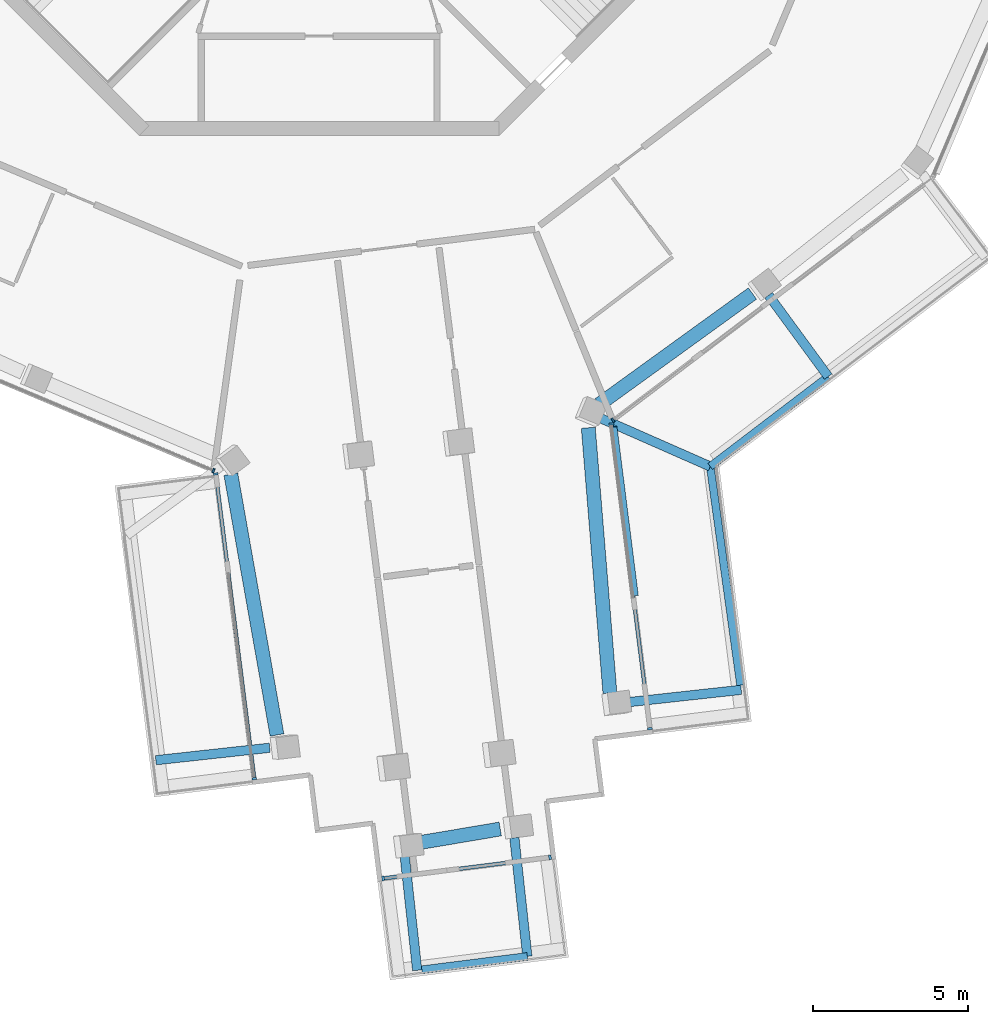
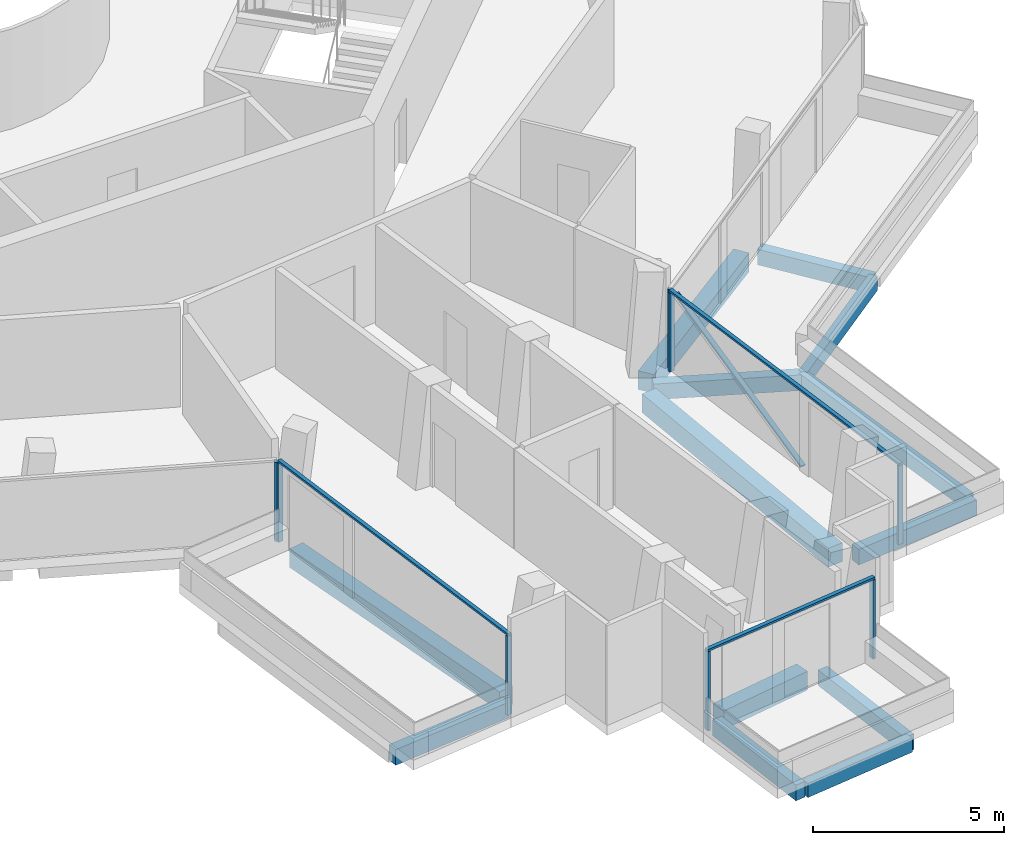
# One storey, part 3 of 26: 13 beams, 12 members, 5 elements without a shape of their own.
"""IFC4 building model written with IfcOpenShell, lengths in metres."""

from ifc_helpers import new_model, si_unit, direction, frame, origin, origin_2d, place, context, subcontext, project, spatial, rectangle, extrude, material, layer, layer_set, material_profile, profile_set, type_object, element, aggregate, save


model = new_model("IFC4")

# Units and contexts
model_context = context("Model", 3, precision=1e-05, world=origin(), true_north=direction((0.0, 1.0)))
body_context = subcontext(model_context, "Body", "Model", "MODEL_VIEW")
ifc_project = project(units=[si_unit("LENGTHUNIT", "METRE"), si_unit("AREAUNIT", "SQUARE_METRE"), si_unit("VOLUMEUNIT", "CUBIC_METRE"), si_unit("PLANEANGLEUNIT", "RADIAN"), si_unit("MASSUNIT", "GRAM", prefix="KILO")], contexts=[model_context])

# Site, building, storey
site_placement = place(None, origin())
site = spatial("IfcSite", under=ifc_project, at=site_placement, CompositionType="ELEMENT")
building_placement = place(site_placement, origin())
building = spatial("IfcBuilding", under=site, at=building_placement, Name="Verdalira Terraces Hotel", CompositionType="ELEMENT")
storey_placement = place(building_placement, frame((0.0, 0.0, 306.5)))
storey = spatial("IfcBuildingStorey", under=building, at=storey_placement, Name="L76", CompositionType="ELEMENT", Elevation=306.5)

# Beams
ifc_material_1 = material(Name="Concrete C40", Category="concrete")
ifc_material_profile_1 = material_profile(ifc_material_1, rectangle(XDim=0.300049, YDim=0.5, at=origin_2d()), Name="RC 300X500")
ifc_profile_set_1 = profile_set([ifc_material_profile_1], Name="Concrete C40")
beam_type_1 = type_object("IfcBeamType", Name="Balcony cantilever beam RC 300X500 C40", PredefinedType="BEAM", material=ifc_profile_set_1)
beam_1_placement = place(storey_placement, frame((-1.593994, -33.730957, -0.560059), z_axis=(-0.994078949, -0.108660216, 0.0), x_axis=(0.108660216, -0.994078949, 0.0)))
element("IfcBeam", 1, at=beam_1_placement, inside=storey, type_object=beam_type_1, Name="Balcony cantilever beam R14-2", PredefinedType="BEAM", context=body_context, shape_type="SweptSolid", body=[
    extrude(rectangle(XDim=0.300049, YDim=0.5, at=origin_2d()), origin(), (0.0, 0.0, 1.0), 3.69165),
])
beam_2_placement = place(storey_placement, frame((2.757812, -37.234131, -0.560059), z_axis=(0.108695947, -0.994075043, 0.0), x_axis=(0.994075043, 0.108695947, 0.0)))
element("IfcBeam", 2, at=beam_2_placement, inside=storey, type_object=beam_type_1, Name="Balcony cantilever beam R19-1", PredefinedType="BEAM", context=body_context, shape_type="SweptSolid", body=[
    extrude(rectangle(XDim=0.300049, YDim=0.5, at=origin_2d()), origin(), (0.0, 0.0, 1.0), 3.69043),
])
beam_3_placement = place(storey_placement, frame((6.290283, -36.631836, -0.560059), z_axis=(0.108765806, -0.994067402, 0.0), x_axis=(0.994067402, 0.108765806, 0.0)))
element("IfcBeam", 3, at=beam_3_placement, inside=storey, type_object=beam_type_1, Name="Balcony cantilever beam R19-2", PredefinedType="BEAM", context=body_context, shape_type="SweptSolid", body=[
    extrude(rectangle(XDim=0.300049, YDim=0.5, at=origin_2d()), origin(), (0.0, 0.0, 1.0), 3.844971),
])
beam_4_placement = place(storey_placement, frame((9.793701, -32.279785, -0.560059), z_axis=(0.994075782, 0.108689189, 0.0), x_axis=(-0.108689189, 0.994075782, 0.0)))
element("IfcBeam", 4, at=beam_4_placement, inside=storey, type_object=beam_type_1, Name="Balcony cantilever beam R24-1", PredefinedType="BEAM", context=body_context, shape_type="SweptSolid", body=[
    extrude(rectangle(XDim=0.300049, YDim=0.5, at=origin_2d()), origin(), (0.0, 0.0, 1.0), 3.829834),
])
beam_5_placement = place(storey_placement, frame((8.987549, -23.074951, -0.560059), z_axis=(0.915235726, -0.402918807, 0.0), x_axis=(0.402918807, 0.915235726, 0.0)))
element("IfcBeam", 5, at=beam_5_placement, inside=storey, type_object=beam_type_1, Name="Balcony cantilever beam R24-2", PredefinedType="BEAM", context=body_context, shape_type="SweptSolid", body=[
    extrude(rectangle(XDim=0.300049, YDim=0.5, at=origin_2d()), origin(), (0.0, 0.0, 1.0), 3.949951),
])
beam_6_placement = place(storey_placement, frame((14.482666, -19.147949, -0.560059), z_axis=(0.591155259, -0.806557785, 0.0), x_axis=(0.806557785, 0.591155259, 0.0)))
element("IfcBeam", 6, at=beam_6_placement, inside=storey, type_object=beam_type_1, Name="Balcony cantilever beam R24-3", PredefinedType="BEAM", context=body_context, shape_type="SweptSolid", body=[
    extrude(rectangle(XDim=0.300049, YDim=0.5, at=origin_2d()), origin(), (0.0, 0.0, 1.0), 3.250732),
])
ifc_material_2 = material(Name="Concrete C40", Category="concrete")
ifc_material_profile_2 = material_profile(ifc_material_2, rectangle(XDim=0.25, YDim=0.449951, at=origin_2d()), Name="RC 250X450")
ifc_profile_set_2 = profile_set([ifc_material_profile_2], Name="Concrete C40")
beam_type_2 = type_object("IfcBeamType", Name="Balcony edge beam RC 250X450 C40", PredefinedType="BEAM", material=ifc_profile_set_2)
beam_7_placement = place(storey_placement, frame((3.307861, -40.883789, -0.534912), z_axis=(0.99211153, 0.125358338, 0.0), x_axis=(-0.125358338, 0.99211153, 0.0)))
element("IfcBeam", 7, at=beam_7_placement, inside=storey, type_object=beam_type_2, Name="Balcony edge beam R19-1", PredefinedType="BEAM", context=body_context, shape_type="SweptSolid", body=[
    extrude(rectangle(XDim=0.25, YDim=0.449951, at=origin_2d()), origin(), (0.0, 0.0, 1.0), 3.427734),
])
beam_8_placement = place(storey_placement, frame((13.580078, -31.715088, -0.534912), z_axis=(-0.137337427, 0.990524321, 0.0), x_axis=(-0.990524321, -0.137337427, 0.0)))
element("IfcBeam", 8, at=beam_8_placement, inside=storey, type_object=beam_type_2, Name="Balcony edge beam R24-1", PredefinedType="BEAM", context=body_context, shape_type="SweptSolid", body=[
    extrude(rectangle(XDim=0.25, YDim=0.449951, at=origin_2d()), origin(), (0.0, 0.0, 1.0), 7.115967),
])
beam_9_placement = place(storey_placement, frame((12.602783, -24.666504, -0.534912), z_axis=(0.795397713, 0.606087847, 0.0), x_axis=(-0.606087847, 0.795397713, 0.0)))
element("IfcBeam", 9, at=beam_9_placement, inside=storey, type_object=beam_type_2, Name="Balcony edge beam R24-2", PredefinedType="BEAM", context=body_context, shape_type="SweptSolid", body=[
    extrude(rectangle(XDim=0.25, YDim=0.449951, at=origin_2d()), origin(), (0.0, 0.0, 1.0), 4.779297),
])

# Curtain wall, member
ifc_material_3 = material(Name="Clear glass", Category="glass")
ifc_layer_1 = layer(ifc_material_3, 0.14990234375)
ifc_layer_set_1 = layer_set([ifc_layer_1], Name="CW1 curtain wall")
curtain_wall_type_1 = type_object("IfcCurtainWallType", Name="CW1 curtain wall", PredefinedType="NOTDEFINED", material=ifc_layer_set_1)
curtain_wall_1_placement = place(storey_placement, origin())
curtain_wall_1 = element("IfcCurtainWall", 10, at=curtain_wall_1_placement, inside=storey, type_object=curtain_wall_type_1, Name="CW1 curtain wall L76 edge 13", PredefinedType="NOTDEFINED")
ifc_material_4 = material(Name="Terracotta frame", Category="masonry")
ifc_material_profile_3 = material_profile(ifc_material_4, rectangle(XDim=0.060059, YDim=0.149902, at=origin_2d()), Name="MU 60x150")
ifc_profile_set_3 = profile_set([ifc_material_profile_3], Name="Terracotta frame")
member_type_1 = type_object("IfcMemberType", Name="CW1 mullion 60x150", PredefinedType="MULLION", material=ifc_profile_set_3)
member_1_placement = place(storey_placement, frame((-3.406982, -24.801025, 0.0), z_axis=(0.0, 0.0, 1.0), x_axis=(0.921863152, -0.387515586, 0.0)))
member_1 = element("IfcMember", 11, at=member_1_placement, type_object=member_type_1, Name="CW1 mullion", PredefinedType="MULLION", context=body_context, shape_type="SweptSolid", body=[
    extrude(rectangle(XDim=0.060059, YDim=0.149902, at=origin_2d()), origin(), (0.0, 0.0, 1.0), 2.524902),
])
aggregate(curtain_wall_1, [member_1])

curtain_wall_2_placement = place(storey_placement, origin())
curtain_wall_2 = element("IfcCurtainWall", 12, at=curtain_wall_2_placement, inside=storey, type_object=curtain_wall_type_1, Name="CW1 curtain wall L76 edge 25", PredefinedType="NOTDEFINED")
member_2_placement = place(storey_placement, frame((9.467773, -23.174561, 0.0), z_axis=(0.0, 0.0, 1.0), x_axis=(0.796529918, 0.604599115, 0.0)))
member_2 = element("IfcMember", 13, at=member_2_placement, type_object=member_type_1, Name="CW1 mullion", PredefinedType="MULLION", context=body_context, shape_type="SweptSolid", body=[
    extrude(rectangle(XDim=0.060059, YDim=0.149902, at=origin_2d()), origin(), (0.0, 0.0, 1.0), 2.524902),
])
aggregate(curtain_wall_2, [member_2])

# Curtain wall, members
ifc_material_5 = material(Name="Clear glass", Category="glass")
ifc_layer_2 = layer(ifc_material_5, 0.14990234375)
ifc_layer_set_2 = layer_set([ifc_layer_2], Name="CW2 curtain wall")
curtain_wall_type_2 = type_object("IfcCurtainWallType", Name="CW2 curtain wall", PredefinedType="NOTDEFINED", material=ifc_layer_set_2)
curtain_wall_3_placement = place(storey_placement, origin())
curtain_wall_3 = element("IfcCurtainWall", 14, at=curtain_wall_3_placement, inside=storey, type_object=curtain_wall_type_2, Name="CW2 curtain wall L76 edge 14", PredefinedType="NOTDEFINED")
ifc_material_6 = material(Name="Terracotta frame", Category="masonry")
ifc_material_profile_4 = material_profile(ifc_material_6, rectangle(XDim=0.070068, YDim=0.149902, at=origin_2d()), Name="MU 70x150")
ifc_profile_set_4 = profile_set([ifc_material_profile_4], Name="Terracotta frame")
member_type_2 = type_object("IfcMemberType", Name="CW2 mullion 70x150", PredefinedType="MULLION", material=ifc_profile_set_4)
member_3_placement = place(storey_placement, frame((-3.32959, -24.906982, 0.0), z_axis=(0.0, 0.0, 1.0), x_axis=(0.125333234, -0.992114701, 0.0)))
member_3 = element("IfcMember", 15, at=member_3_placement, type_object=member_type_2, Name="CW2 mullion", PredefinedType="MULLION", context=body_context, shape_type="SweptSolid", body=[
    extrude(rectangle(XDim=0.070068, YDim=0.149902, at=origin_2d()), origin(), (0.0, 0.0, 1.0), 2.524902),
])
member_4_placement = place(storey_placement, frame((-2.089111, -34.726562, 0.0), z_axis=(0.0, 0.0, 1.0), x_axis=(0.125333234, -0.992114701, 0.0)))
member_4 = element("IfcMember", 16, at=member_4_placement, type_object=member_type_2, Name="CW2 mullion", PredefinedType="MULLION", context=body_context, shape_type="SweptSolid", body=[
    extrude(rectangle(XDim=0.070068, YDim=0.149902, at=origin_2d()), origin(), (0.0, 0.0, 1.0), 2.524902),
])

curtain_wall_4_placement = place(storey_placement, origin())
curtain_wall_4 = element("IfcCurtainWall", 17, at=curtain_wall_4_placement, inside=storey, type_object=curtain_wall_type_2, Name="CW2 curtain wall L76 edge 24", PredefinedType="NOTDEFINED")
member_5_placement = place(storey_placement, frame((10.659668, -33.115967, 0.0), z_axis=(0.0, 0.0, 1.0), x_axis=(-0.125333234, 0.992114701, 0.0)))
member_5 = element("IfcMember", 18, at=member_5_placement, type_object=member_type_2, Name="CW2 mullion", PredefinedType="MULLION", context=body_context, shape_type="SweptSolid", body=[
    extrude(rectangle(XDim=0.070068, YDim=0.149902, at=origin_2d()), origin(), (0.0, 0.0, 1.0), 2.524902),
])
member_6_placement = place(storey_placement, frame((9.419189, -23.296387, 0.0), z_axis=(0.0, 0.0, 1.0), x_axis=(-0.125333234, 0.992114701, 0.0)))
member_6 = element("IfcMember", 19, at=member_6_placement, type_object=member_type_2, Name="CW2 mullion", PredefinedType="MULLION", context=body_context, shape_type="SweptSolid", body=[
    extrude(rectangle(XDim=0.070068, YDim=0.149902, at=origin_2d()), origin(), (0.0, 0.0, 1.0), 2.524902),
])

# Member
ifc_material_7 = material(Name="Terracotta frame", Category="masonry")
ifc_material_profile_5 = material_profile(ifc_material_7, rectangle(XDim=0.11499, YDim=0.064941, at=origin_2d()), Name="TR 65x115")
ifc_profile_set_5 = profile_set([ifc_material_profile_5], Name="Terracotta frame")
member_type_3 = type_object("IfcMemberType", Name="CW2 transom 65x115", PredefinedType="USERDEFINED", material=ifc_profile_set_5)
member_7_placement = place(storey_placement, frame((-3.333984, -24.872314, 2.557617), z_axis=(0.125333921, -0.992114614, 0.0), x_axis=(0.992114614, 0.125333921, 0.0)))
member_7 = element("IfcMember", 20, at=member_7_placement, type_object=member_type_3, Name="CW2 transom", ObjectType="TRANSOM", PredefinedType="USERDEFINED", context=body_context, shape_type="SweptSolid", body=[
    extrude(rectangle(XDim=0.11499, YDim=0.064941, at=origin_2d()), origin(), (0.0, 0.0, 1.0), 9.967529),
])

aggregate(curtain_wall_3, [member_3, member_4, member_7])

member_8_placement = place(storey_placement, frame((10.664062, -33.150635, 2.557617), z_axis=(-0.125333921, 0.992114614, 0.0), x_axis=(-0.992114614, -0.125333921, 0.0)))
member_8 = element("IfcMember", 21, at=member_8_placement, type_object=member_type_3, Name="CW2 transom", ObjectType="TRANSOM", PredefinedType="USERDEFINED", context=body_context, shape_type="SweptSolid", body=[
    extrude(rectangle(XDim=0.11499, YDim=0.064941, at=origin_2d()), origin(), (0.0, 0.0, 1.0), 9.967529),
])

# Curtain wall, members
ifc_material_8 = material(Name="Clear glass", Category="glass")
ifc_layer_3 = layer(ifc_material_8, 0.14990234375)
ifc_layer_set_3 = layer_set([ifc_layer_3], Name="CW3 curtain wall")
curtain_wall_type_3 = type_object("IfcCurtainWallType", Name="CW3 curtain wall", PredefinedType="NOTDEFINED", material=ifc_layer_set_3)
curtain_wall_5_placement = place(storey_placement, origin())
curtain_wall_5 = element("IfcCurtainWall", 22, at=curtain_wall_5_placement, inside=storey, type_object=curtain_wall_type_3, Name="CW3 curtain wall L76 edge 19", PredefinedType="NOTDEFINED")
ifc_material_9 = material(Name="Terracotta frame", Category="masonry")
ifc_material_profile_6 = material_profile(ifc_material_9, rectangle(XDim=0.080078, YDim=0.149902, at=origin_2d()), Name="MU 80x150")
ifc_profile_set_6 = profile_set([ifc_material_profile_6], Name="Terracotta frame")
member_type_4 = type_object("IfcMemberType", Name="CW3 mullion 80x150", PredefinedType="MULLION", material=ifc_profile_set_6)
member_9_placement = place(storey_placement, frame((2.061523, -37.94165, 0.0), z_axis=(0.0, 0.0, 1.0), x_axis=(0.992114701, 0.125333234, 0.0)))
member_9 = element("IfcMember", 23, at=member_9_placement, type_object=member_type_4, Name="CW3 mullion", PredefinedType="MULLION", context=body_context, shape_type="SweptSolid", body=[
    extrude(rectangle(XDim=0.080078, YDim=0.149902, at=origin_2d()), origin(), (0.0, 0.0, 1.0), 2.524902),
])
member_10_placement = place(storey_placement, frame((7.438965, -37.262451, 0.0), z_axis=(0.0, 0.0, 1.0), x_axis=(0.992114701, 0.125333234, 0.0)))
member_10 = element("IfcMember", 24, at=member_10_placement, type_object=member_type_4, Name="CW3 mullion", PredefinedType="MULLION", context=body_context, shape_type="SweptSolid", body=[
    extrude(rectangle(XDim=0.080078, YDim=0.149902, at=origin_2d()), origin(), (0.0, 0.0, 1.0), 2.524902),
])
ifc_material_10 = material(Name="Terracotta frame", Category="masonry")
ifc_material_profile_7 = material_profile(ifc_material_10, rectangle(XDim=0.120117, YDim=0.064941, at=origin_2d()), Name="TR 65x120")
ifc_profile_set_7 = profile_set([ifc_material_profile_7], Name="Terracotta frame")
member_type_5 = type_object("IfcMemberType", Name="CW3 transom 65x120", PredefinedType="USERDEFINED", material=ifc_profile_set_7)
member_11_placement = place(storey_placement, frame((2.021973, -37.946533, 2.557617), z_axis=(0.992117249, 0.125313065, 0.0), x_axis=(-0.125313065, 0.992117249, 0.0)))
member_11 = element("IfcMember", 25, at=member_11_placement, type_object=member_type_5, Name="CW3 transom", ObjectType="TRANSOM", PredefinedType="USERDEFINED", context=body_context, shape_type="SweptSolid", body=[
    extrude(rectangle(XDim=0.120117, YDim=0.064941, at=origin_2d()), origin(), (0.0, 0.0, 1.0), 5.5),
])
aggregate(curtain_wall_5, [member_9, member_10, member_11])

# Member
ifc_material_11 = material(Name="Terracotta frame", Category="masonry")
ifc_material_profile_8 = material_profile(ifc_material_11, rectangle(XDim=0.149902, YDim=0.060059, at=origin_2d()), Name="GB 60x150")
ifc_profile_set_8 = profile_set([ifc_material_profile_8], Name="Terracotta frame")
member_type_6 = type_object("IfcMemberType", Name="Diagonal glazing bar 60x150", PredefinedType="USERDEFINED", material=ifc_profile_set_8)
member_12_placement = place(storey_placement, frame((10.208252, -28.816895, 0.028076), z_axis=(-0.114292745, 0.904509451, 0.410852555), x_axis=(-0.992111069, -0.125361982, 0.0)))
member_12 = element("IfcMember", 26, at=member_12_placement, type_object=member_type_6, Name="Diagonal glazing bar", ObjectType="GLAZING BAR", PredefinedType="USERDEFINED", context=body_context, shape_type="SweptSolid", body=[
    extrude(rectangle(XDim=0.149902, YDim=0.060059, at=origin_2d()), origin(), (0.0, 0.0, 1.0), 6.008789),
])

aggregate(curtain_wall_4, [member_5, member_6, member_8, member_12])

# Beams
ifc_material_12 = material(Name="Concrete C40", Category="concrete")
ifc_material_profile_9 = material_profile(ifc_material_12, rectangle(XDim=0.449951, YDim=0.600098, at=origin_2d()), Name="RC 450X600")
ifc_profile_set_9 = profile_set([ifc_material_profile_9], Name="Concrete C40")
beam_type_3 = type_object("IfcBeamType", Name="Spandrel beam RC 450X600 C40", PredefinedType="SPANDREL", material=ifc_profile_set_9)
beam_10_placement = place(storey_placement, frame((-2.846191, -24.915283, -0.610107), z_axis=(0.174157461, -0.984717817, 0.0), x_axis=(0.984717817, 0.174157461, 0.0)))
element("IfcBeam", 27, at=beam_10_placement, inside=storey, type_object=beam_type_3, Name="Spandrel beam B10", PredefinedType="SPANDREL", context=body_context, shape_type="SweptSolid", body=[
    extrude(rectangle(XDim=0.449951, YDim=0.600098, at=origin_2d()), origin(), (0.0, 0.0, 1.0), 8.532959),
])
beam_11_placement = place(storey_placement, frame((3.030762, -36.822021, -0.610107), z_axis=(0.986017802, 0.166640013, 0.0), x_axis=(-0.166640013, 0.986017802, 0.0)))
element("IfcBeam", 28, at=beam_11_placement, inside=storey, type_object=beam_type_3, Name="Spandrel beam B11", PredefinedType="SPANDREL", context=body_context, shape_type="SweptSolid", body=[
    extrude(rectangle(XDim=0.449951, YDim=0.600098, at=origin_2d()), origin(), (0.0, 0.0, 1.0), 2.84375),
])
beam_12_placement = place(storey_placement, frame((9.369385, -31.966797, -0.610107), z_axis=(-0.081217152, 0.99669643, 0.0), x_axis=(-0.99669643, -0.081217152, 0.0)))
element("IfcBeam", 29, at=beam_12_placement, inside=storey, type_object=beam_type_3, Name="Spandrel beam B12", PredefinedType="SPANDREL", context=body_context, shape_type="SweptSolid", body=[
    extrude(rectangle(XDim=0.449951, YDim=0.600098, at=origin_2d()), origin(), (0.0, 0.0, 1.0), 8.576172),
])
beam_13_placement = place(storey_placement, frame((9.022217, -22.665527, -0.610107), z_axis=(0.810291563, 0.586026947, 0.0), x_axis=(-0.586026947, 0.810291563, 0.0)))
element("IfcBeam", 30, at=beam_13_placement, inside=storey, type_object=beam_type_3, Name="Spandrel beam B13", PredefinedType="SPANDREL", context=body_context, shape_type="SweptSolid", body=[
    extrude(rectangle(XDim=0.449951, YDim=0.600098, at=origin_2d()), origin(), (0.0, 0.0, 1.0), 6.097412),
])

save(model, "model.ifc")
